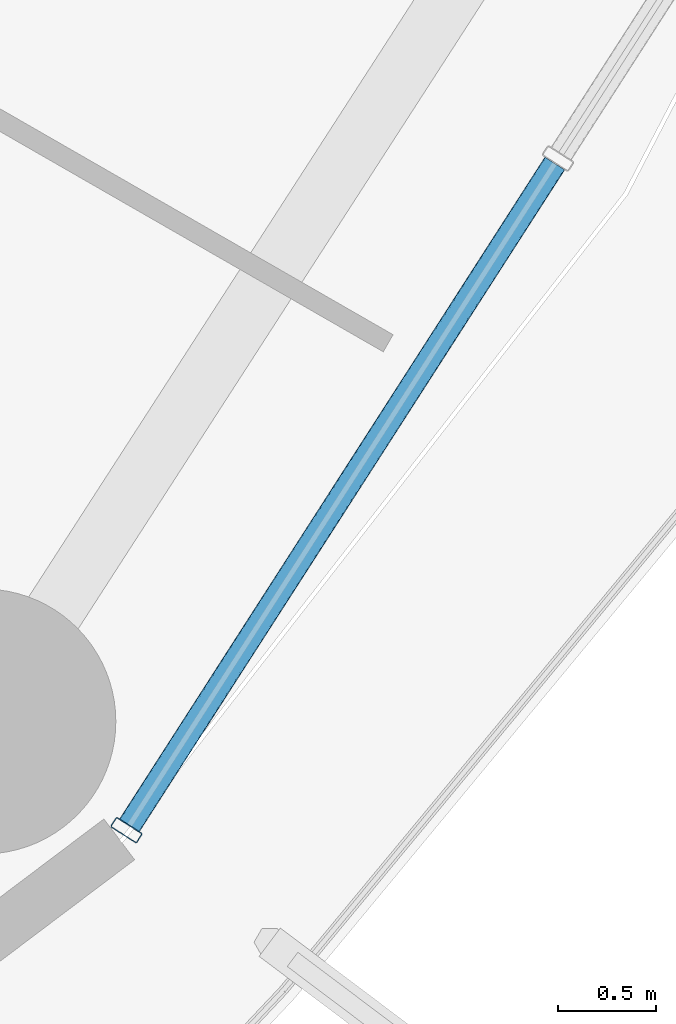
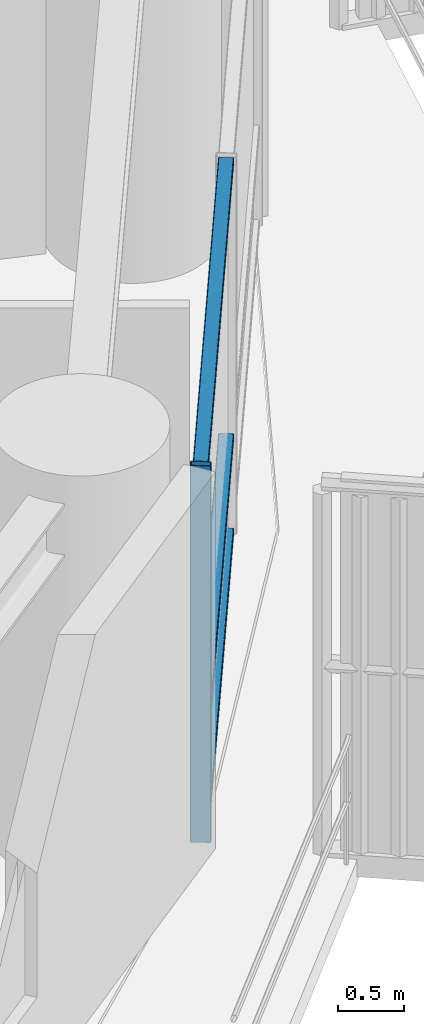
# One storey, part 12 of 37: 4 members, 1 element without a shape of its own.
"""IFC4 building model written with IfcOpenShell, lengths in metres."""

from ifc_helpers import new_model, si_unit, direction, frame, origin, origin_2d, place, context, subcontext, project, spatial, hollow_rectangle, extrude, material, layer, layer_set, material_profile, profile_set, type_object, element, aggregate, save


model = new_model("IFC4")

# Units and contexts
model_context = context("Model", 3, precision=1e-05, world=origin(), true_north=direction((0.0, 1.0)))
body_context = subcontext(model_context, "Body", "Model", "MODEL_VIEW")
ifc_project = project(units=[si_unit("LENGTHUNIT", "METRE"), si_unit("AREAUNIT", "SQUARE_METRE"), si_unit("VOLUMEUNIT", "CUBIC_METRE"), si_unit("PLANEANGLEUNIT", "RADIAN"), si_unit("MASSUNIT", "GRAM", prefix="KILO")], contexts=[model_context])

# Site, building, storey
site_placement = place(None, origin())
site = spatial("IfcSite", under=ifc_project, at=site_placement, CompositionType="ELEMENT")
building_placement = place(site_placement, origin())
building = spatial("IfcBuilding", under=site, at=building_placement, Name="Kelanora Arch Commons", CompositionType="ELEMENT")
storey_placement = place(building_placement, frame((0.0, 0.0, 113.85009765625)))
storey = spatial("IfcBuildingStorey", under=building, at=storey_placement, Name="L29", CompositionType="ELEMENT", Elevation=113.85009765625)

# Curtain wall, members
ifc_material_1 = material(Name="Terracotta ceramic-fritted low-E glass and aluminium", Category="masonry")
ifc_layer = layer(ifc_material_1, 0.159912109375)
ifc_layer_set = layer_set([ifc_layer], Name="Terracotta ceramic-fritted low-E glass and aluminium")
curtain_wall_type = type_object("IfcCurtainWallType", Name="CW-SYS-01", PredefinedType="NOTDEFINED", material=ifc_layer_set)
curtain_wall_placement = place(storey_placement, origin())
curtain_wall = element("IfcCurtainWall", 1, at=curtain_wall_placement, inside=storey, type_object=curtain_wall_type, Name="Unitised Curtain Wall L29-B16", PredefinedType="NOTDEFINED")
ifc_material_2 = material(Name="Powder-coated aluminium terracotta", Category="masonry")
ifc_material_profile_1 = material_profile(ifc_material_2, hollow_rectangle(XDim=0.159912109375, YDim=0.06005859375, WallThickness=0.0048828125, InnerFilletRadius=0.0048828125, OuterFilletRadius=0.010009765625, at=origin_2d()), Name="CWM160x60")
ifc_profile_set_1 = profile_set([ifc_material_profile_1], Name="Powder-coated aluminium terracotta")
member_type_1 = type_object("IfcMemberType", Name="CWM-STD", PredefinedType="MULLION", material=ifc_profile_set_1)
member_1_placement = place(storey_placement, frame((93.635009765625, 43.253662109375, 0.0), z_axis=(0.0, 0.0, 1.0), x_axis=(-0.841268883088, 0.540616931244, 0.0)))
member_1 = element("IfcMember", 2, at=member_1_placement, type_object=member_type_1, Name="CW-01 mullion 1", PredefinedType="MULLION", context=body_context, shape_type="SweptSolid", body=[
    extrude(hollow_rectangle(XDim=0.159912109375, YDim=0.06005859375, WallThickness=0.0048828125, InnerFilletRadius=0.0048828125, OuterFilletRadius=0.010009765625, at=origin_2d()), origin(), (0.0, 0.0, 1.0), 3.474853515625),
])
ifc_material_profile_2 = material_profile(ifc_material_2, hollow_rectangle(XDim=0.1201171875, YDim=0.06005859375, WallThickness=0.0048828125, InnerFilletRadius=0.0048828125, OuterFilletRadius=0.010009765625, at=origin_2d()), Name="CWT120x60")
ifc_profile_set_2 = profile_set([ifc_material_profile_2], Name="Powder-coated aluminium terracotta")
member_type_2 = type_object("IfcMemberType", Name="CWT-STD", PredefinedType="USERDEFINED", material=ifc_profile_set_2)
member_2_placement = place(storey_placement, frame((93.651123046875, 43.279052734375, 0.02978515625), z_axis=(0.540643629734, 0.841251725483, 0.0), x_axis=(-0.841251725483, 0.540643629734, 0.0)))
member_2 = element("IfcMember", 3, at=member_2_placement, type_object=member_type_2, Name="CW-01 transom 1.1", ObjectType="TRANSOM", PredefinedType="USERDEFINED", context=body_context, shape_type="SweptSolid", body=[
    extrude(hollow_rectangle(XDim=0.1201171875, YDim=0.06005859375, WallThickness=0.0048828125, InnerFilletRadius=0.0048828125, OuterFilletRadius=0.010009765625, at=origin_2d()), origin(), (0.0, 0.0, 1.0), 4.00634765625),
])
member_3_placement = place(storey_placement, frame((93.651123046875, 43.279052734375, 0.89990234375), z_axis=(0.540643629734, 0.841251725483, 0.0), x_axis=(-0.841251725483, 0.540643629734, 0.0)))
member_3 = element("IfcMember", 4, at=member_3_placement, type_object=member_type_2, Name="CW-01 transom 1.2", ObjectType="TRANSOM", PredefinedType="USERDEFINED", context=body_context, shape_type="SweptSolid", body=[
    extrude(hollow_rectangle(XDim=0.1201171875, YDim=0.06005859375, WallThickness=0.0048828125, InnerFilletRadius=0.0048828125, OuterFilletRadius=0.010009765625, at=origin_2d()), origin(), (0.0, 0.0, 1.0), 4.00634765625),
])
member_4_placement = place(storey_placement, frame((93.651123046875, 43.279052734375, 3.44482421875), z_axis=(0.540643629734, 0.841251725483, 0.0), x_axis=(-0.841251725483, 0.540643629734, 0.0)))
member_4 = element("IfcMember", 5, at=member_4_placement, type_object=member_type_2, Name="CW-01 transom 1.3", ObjectType="TRANSOM", PredefinedType="USERDEFINED", context=body_context, shape_type="SweptSolid", body=[
    extrude(hollow_rectangle(XDim=0.1201171875, YDim=0.06005859375, WallThickness=0.0048828125, InnerFilletRadius=0.0048828125, OuterFilletRadius=0.010009765625, at=origin_2d()), origin(), (0.0, 0.0, 1.0), 4.00634765625),
])
aggregate(curtain_wall, [member_1, member_2, member_3, member_4])

save(model, "model.ifc")
